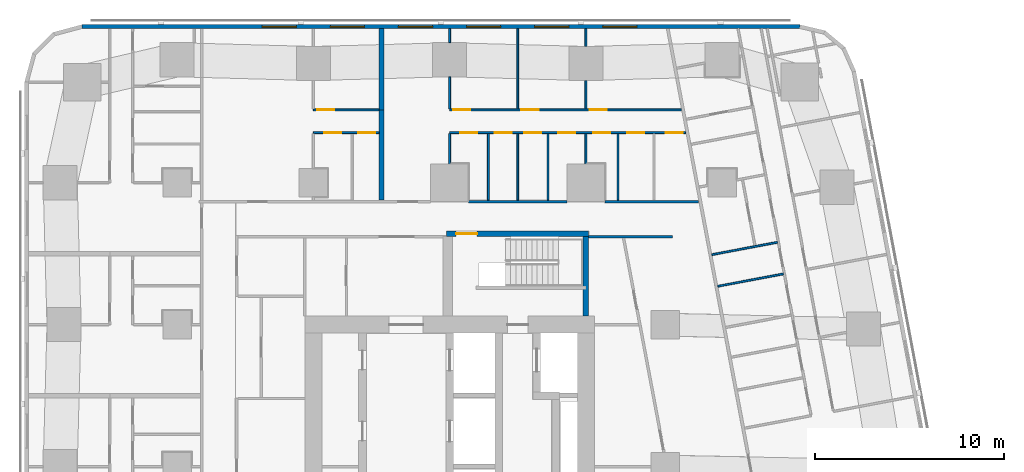
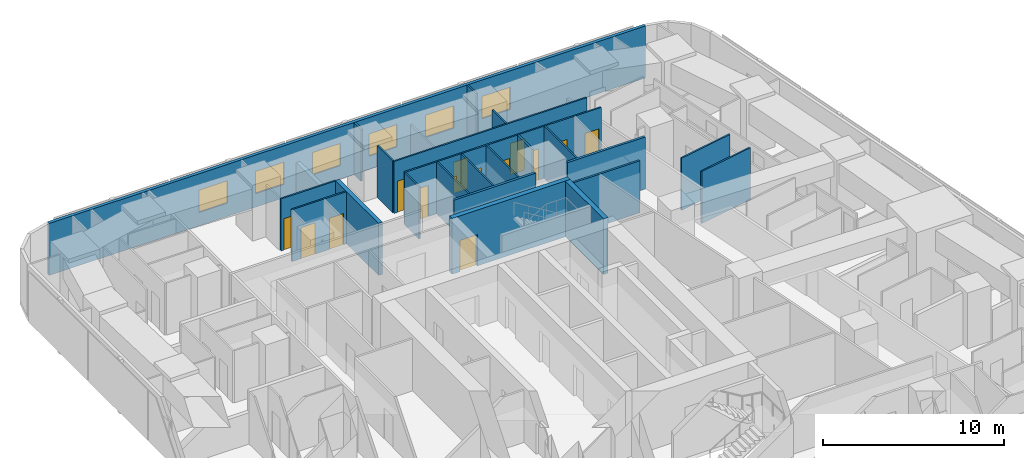
# One storey, part 9 of 14: 25 walls, 14 doors, 6 windows, 20 openings.
"""IFC4 building model written with IfcOpenShell, lengths in metres."""

from ifc_helpers import new_model, si_unit, direction, frame, frame_2d, origin, place, context, subcontext, project, spatial, rectangle, extrude, material, layer, layer_set, type_object, element, fill, save


model = new_model("IFC4")

# Units and contexts
model_context = context("Model", 3, precision=1e-05, world=origin(), true_north=direction((0.0, 1.0)))
body_context = subcontext(model_context, "Body", "Model", "MODEL_VIEW")
ifc_project = project(units=[si_unit("LENGTHUNIT", "METRE"), si_unit("AREAUNIT", "SQUARE_METRE"), si_unit("VOLUMEUNIT", "CUBIC_METRE"), si_unit("PLANEANGLEUNIT", "RADIAN"), si_unit("MASSUNIT", "GRAM", prefix="KILO")], contexts=[model_context])

# Site, building, storey
site_placement = place(None, origin())
site = spatial("IfcSite", under=ifc_project, at=site_placement, CompositionType="ELEMENT")
building_placement = place(site_placement, origin())
building = spatial("IfcBuilding", under=site, at=building_placement, Name="Sheger Commons Tower", CompositionType="ELEMENT")
storey_placement = place(building_placement, frame((0.0, 0.0, 135.800048828125)))
storey = spatial("IfcBuildingStorey", under=building, at=storey_placement, Name="L34", CompositionType="ELEMENT", Elevation=135.800048828125)

# Walls
ifc_material_1 = material(Name="Hollow concrete block masonry, skimmed both sides", Category="masonry")
ifc_layer_1 = layer(ifc_material_1, 0.14990234375)
ifc_layer_set_1 = layer_set([ifc_layer_1], Name="CORRIDOR WALL 150")
wall_type_1 = type_object("IfcWallType", Name="CORRIDOR WALL 150", PredefinedType="SOLIDWALL", material=ifc_layer_set_1)
wall_1_placement = place(storey_placement, frame((22.60107421875, 36.5, 0.0), z_axis=(0.0, 0.0, 1.0), x_axis=(1.0, 0.0, 0.0)))
element("IfcWall", 1, at=wall_1_placement, inside=storey, type_object=wall_type_1, Name="Corridor wall L34", PredefinedType="SOLIDWALL", context=body_context, shape_type="SweptSolid", body=[
    extrude(rectangle(XDim=5.197998046875, YDim=0.14990234375, at=frame_2d((2.59912109375, 0.0))), origin(), (0.0, 0.0, 1.0), 3.5),
])
wall_2_placement = place(storey_placement, frame((29.801025390625, 36.5, 0.0), z_axis=(0.0, 0.0, 1.0), x_axis=(1.0, 0.0, 0.0)))
element("IfcWall", 2, at=wall_2_placement, inside=storey, type_object=wall_type_1, Name="Corridor wall L34", PredefinedType="SOLIDWALL", context=body_context, shape_type="SweptSolid", body=[
    extrude(rectangle(XDim=4.9638671875, YDim=0.14990234375, at=frame_2d((2.48193359375, 0.0))), origin(), (0.0, 0.0, 1.0), 3.5),
])
ifc_material_2 = material(Name="Dense concrete block masonry, plastered both sides (separating wall between flats)", Category="masonry")
ifc_layer_2 = layer(ifc_material_2, 0.25)
ifc_layer_set_2 = layer_set([ifc_layer_2], Name="DEMISING WALL 250")
wall_type_2 = type_object("IfcWallType", Name="DEMISING WALL 250", PredefinedType="SOLIDWALL", material=ifc_layer_set_2)
wall_3_placement = place(storey_placement, frame((18.0, 41.35009765625, 0.0), z_axis=(0.0, 0.0, 1.0), x_axis=(0.0, 1.0, 0.0)))
element("IfcWall", 3, at=wall_3_placement, inside=storey, type_object=wall_type_2, Name="Demising wall L34", PredefinedType="SOLIDWALL", context=body_context, shape_type="SweptSolid", body=[
    extrude(rectangle(XDim=4.2998046875, YDim=0.25, at=frame_2d((2.14990234375, 0.0))), origin(), (0.0, 0.0, 1.0), 2.099853515625),
])
wall_4_placement = place(storey_placement, frame((18.0, 36.574951171875, 0.0), z_axis=(0.0, 0.0, 1.0), x_axis=(0.0, 1.0, 0.0)))
element("IfcWall", 4, at=wall_4_placement, inside=storey, type_object=wall_type_2, Name="Demising wall L34", PredefinedType="SOLIDWALL", context=body_context, shape_type="SweptSolid", body=[
    extrude(rectangle(XDim=4.775146484375, YDim=0.25, at=frame_2d((2.3876953125, 0.0))), origin(), (0.0, 0.0, 1.0), 3.5),
])

# Wall, openings, windows
ifc_material_3 = material(Name="Rendered concrete block masonry, dark grey", Category="masonry")
ifc_layer_3 = layer(ifc_material_3, 0.199951171875)
ifc_layer_set_3 = layer_set([ifc_layer_3], Name="FACADE WALL 200")
wall_type_3 = type_object("IfcWallType", Name="FACADE WALL 200", PredefinedType="SOLIDWALL", material=ifc_layer_set_3)
wall_5_placement = place(storey_placement, frame((40.10595703125, 45.75, 0.0), z_axis=(0.0, 0.0, 1.0), x_axis=(-1.0, 0.0, 0.0)))
wall_5 = element("IfcWall", 5, at=wall_5_placement, inside=storey, type_object=wall_type_3, Name="Facade wall L34", PredefinedType="SOLIDWALL", context=body_context, shape_type="SweptSolid", body=[
    extrude(rectangle(XDim=37.94287109375, YDim=0.199951171875, at=frame_2d((18.971435546875, 0.0))), origin(), (0.0, 0.0, 1.0), 3.5),
])
opening_1_placement = place(wall_5_placement, frame((8.60595703125, 0.0, 0.89990234375)))
opening_1 = element("IfcOpeningElement", 6, at=opening_1_placement, cuts=wall_5, Name="Opening W2", PredefinedType="OPENING", context=body_context, shape_type="SweptSolid", body=[
    extrude(rectangle(XDim=1.800048828125, YDim=1.5, at=frame_2d((0.89990234375, 0.75))), frame((0.0, 0.10986328125, 0.0), z_axis=(0.0, -1.0, 0.0), x_axis=(1.0, 0.0, 0.0)), (0.0, 0.0, 1.0), 0.219970703125),
])
opening_2_placement = place(wall_5_placement, frame((12.2060546875, 0.0, 0.89990234375)))
opening_2 = element("IfcOpeningElement", 7, at=opening_2_placement, cuts=wall_5, Name="Opening W2", PredefinedType="OPENING", context=body_context, shape_type="SweptSolid", body=[
    extrude(rectangle(XDim=1.800048828125, YDim=1.5, at=frame_2d((0.89990234375, 0.75))), frame((0.0, 0.10986328125, 0.0), z_axis=(0.0, -1.0, 0.0), x_axis=(1.0, 0.0, 0.0)), (0.0, 0.0, 1.0), 0.219970703125),
])
opening_3_placement = place(wall_5_placement, frame((15.805908203125, 0.0, 0.89990234375)))
opening_3 = element("IfcOpeningElement", 8, at=opening_3_placement, cuts=wall_5, Name="Opening W2", PredefinedType="OPENING", context=body_context, shape_type="SweptSolid", body=[
    extrude(rectangle(XDim=1.800048828125, YDim=1.5, at=frame_2d((0.89990234375, 0.75))), frame((0.0, 0.10986328125, 0.0), z_axis=(0.0, -1.0, 0.0), x_axis=(1.0, 0.0, 0.0)), (0.0, 0.0, 1.0), 0.219970703125),
])
opening_4_placement = place(wall_5_placement, frame((19.406005859375, 0.0, 0.89990234375)))
opening_4 = element("IfcOpeningElement", 9, at=opening_4_placement, cuts=wall_5, Name="Opening W2", PredefinedType="OPENING", context=body_context, shape_type="SweptSolid", body=[
    extrude(rectangle(XDim=1.800048828125, YDim=1.5, at=frame_2d((0.89990234375, 0.75))), frame((0.0, 0.10986328125, 0.0), z_axis=(0.0, -1.0, 0.0), x_axis=(1.0, 0.0, 0.0)), (0.0, 0.0, 1.0), 0.219970703125),
])
opening_5_placement = place(wall_5_placement, frame((23.006103515625, 0.0, 0.89990234375)))
opening_5 = element("IfcOpeningElement", 10, at=opening_5_placement, cuts=wall_5, Name="Opening W2", PredefinedType="OPENING", context=body_context, shape_type="SweptSolid", body=[
    extrude(rectangle(XDim=1.800048828125, YDim=1.5, at=frame_2d((0.89990234375, 0.75))), frame((0.0, 0.10986328125, 0.0), z_axis=(0.0, -1.0, 0.0), x_axis=(1.0, 0.0, 0.0)), (0.0, 0.0, 1.0), 0.219970703125),
])
opening_6_placement = place(wall_5_placement, frame((26.60595703125, 0.0, 0.89990234375)))
opening_6 = element("IfcOpeningElement", 11, at=opening_6_placement, cuts=wall_5, Name="Opening W2", PredefinedType="OPENING", context=body_context, shape_type="SweptSolid", body=[
    extrude(rectangle(XDim=1.800048828125, YDim=1.5, at=frame_2d((0.89990234375, 0.75))), frame((0.0, 0.10986328125, 0.0), z_axis=(0.0, -1.0, 0.0), x_axis=(1.0, 0.0, 0.0)), (0.0, 0.0, 1.0), 0.219970703125),
])
ifc_material_4 = material(Name="Black aluminium frame, dark tinted double glazing", Category="aluminium")
window_type = type_object("IfcWindowType", Name="WINDOW W2 1800x1500", PartitioningType="SINGLE_PANEL", PredefinedType="WINDOW", material=ifc_material_4)
window_1_placement = place(opening_1_placement, origin())
window_1 = element("IfcWindow", 12, at=window_1_placement, inside=storey, type_object=window_type, Name="Window W2 1800X1500", OverallHeight=1.5, OverallWidth=1.800048828125, PartitioningType="SINGLE_PANEL", PredefinedType="WINDOW", context=body_context, shape_type="SweptSolid", body=[
    extrude(rectangle(XDim=1.800048828125, YDim=1.5, at=frame_2d((0.89990234375, 0.75))), frame((0.0, 0.030029296875, 0.0), z_axis=(0.0, -1.0, 0.0), x_axis=(1.0, 0.0, 0.0)), (0.0, 0.0, 1.0), 0.06005859375),
])
fill(opening_1, window_1)
window_2_placement = place(opening_2_placement, origin())
window_2 = element("IfcWindow", 13, at=window_2_placement, inside=storey, type_object=window_type, Name="Window W2 1800X1500", OverallHeight=1.5, OverallWidth=1.800048828125, PartitioningType="SINGLE_PANEL", PredefinedType="WINDOW", context=body_context, shape_type="SweptSolid", body=[
    extrude(rectangle(XDim=1.800048828125, YDim=1.5, at=frame_2d((0.89990234375, 0.75))), frame((0.0, 0.030029296875, 0.0), z_axis=(0.0, -1.0, 0.0), x_axis=(1.0, 0.0, 0.0)), (0.0, 0.0, 1.0), 0.06005859375),
])
fill(opening_2, window_2)
window_3_placement = place(opening_3_placement, origin())
window_3 = element("IfcWindow", 14, at=window_3_placement, inside=storey, type_object=window_type, Name="Window W2 1800X1500", OverallHeight=1.5, OverallWidth=1.800048828125, PartitioningType="SINGLE_PANEL", PredefinedType="WINDOW", context=body_context, shape_type="SweptSolid", body=[
    extrude(rectangle(XDim=1.800048828125, YDim=1.5, at=frame_2d((0.89990234375, 0.75))), frame((0.0, 0.030029296875, 0.0), z_axis=(0.0, -1.0, 0.0), x_axis=(1.0, 0.0, 0.0)), (0.0, 0.0, 1.0), 0.06005859375),
])
fill(opening_3, window_3)
window_4_placement = place(opening_4_placement, origin())
window_4 = element("IfcWindow", 15, at=window_4_placement, inside=storey, type_object=window_type, Name="Window W2 1800X1500", OverallHeight=1.5, OverallWidth=1.800048828125, PartitioningType="SINGLE_PANEL", PredefinedType="WINDOW", context=body_context, shape_type="SweptSolid", body=[
    extrude(rectangle(XDim=1.800048828125, YDim=1.5, at=frame_2d((0.89990234375, 0.75))), frame((0.0, 0.030029296875, 0.0), z_axis=(0.0, -1.0, 0.0), x_axis=(1.0, 0.0, 0.0)), (0.0, 0.0, 1.0), 0.06005859375),
])
fill(opening_4, window_4)
window_5_placement = place(opening_5_placement, origin())
window_5 = element("IfcWindow", 16, at=window_5_placement, inside=storey, type_object=window_type, Name="Window W2 1800X1500", OverallHeight=1.5, OverallWidth=1.800048828125, PartitioningType="SINGLE_PANEL", PredefinedType="WINDOW", context=body_context, shape_type="SweptSolid", body=[
    extrude(rectangle(XDim=1.800048828125, YDim=1.5, at=frame_2d((0.89990234375, 0.75))), frame((0.0, 0.030029296875, 0.0), z_axis=(0.0, -1.0, 0.0), x_axis=(1.0, 0.0, 0.0)), (0.0, 0.0, 1.0), 0.06005859375),
])
fill(opening_5, window_5)
window_6_placement = place(opening_6_placement, origin())
window_6 = element("IfcWindow", 17, at=window_6_placement, inside=storey, type_object=window_type, Name="Window W2 1800X1500", OverallHeight=1.5, OverallWidth=1.800048828125, PartitioningType="SINGLE_PANEL", PredefinedType="WINDOW", context=body_context, shape_type="SweptSolid", body=[
    extrude(rectangle(XDim=1.800048828125, YDim=1.5, at=frame_2d((0.89990234375, 0.75))), frame((0.0, 0.030029296875, 0.0), z_axis=(0.0, -1.0, 0.0), x_axis=(1.0, 0.0, 0.0)), (0.0, 0.0, 1.0), 0.06005859375),
])
fill(opening_6, window_6)

# Walls
ifc_material_5 = material(Name="Gypsum board on steel studs", Category="steel")
ifc_layer_4 = layer(ifc_material_5, 0.10009765625)
ifc_layer_set_4 = layer_set([ifc_layer_4], Name="PARTITION 100")
wall_type_4 = type_object("IfcWallType", Name="PARTITION 100", PredefinedType="PARTITIONING", material=ifc_layer_set_4)
wall_6_placement = place(storey_placement, frame((39.239990234375, 32.68310546875, 0.0), z_axis=(0.0, 0.0, 1.0), x_axis=(-0.982638553676, -0.185530247748, 0.0)))
element("IfcWall", 18, at=wall_6_placement, inside=storey, type_object=wall_type_4, Name="Partition L34", PredefinedType="PARTITIONING", context=body_context, shape_type="SweptSolid", body=[
    extrude(rectangle(XDim=3.525390625, YDim=0.10009765625, at=frame_2d((1.7626953125, 0.0))), origin(), (0.0, 0.0, 1.0), 3.5),
])
wall_7_placement = place(storey_placement, frame((38.924072265625, 34.35302734375, 0.0), z_axis=(0.0, 0.0, 1.0), x_axis=(-0.982629014545, -0.18558076348, 0.0)))
element("IfcWall", 19, at=wall_7_placement, inside=storey, type_object=wall_type_4, Name="Partition L34", PredefinedType="PARTITIONING", context=body_context, shape_type="SweptSolid", body=[
    extrude(rectangle(XDim=3.5244140625, YDim=0.10009765625, at=frame_2d((1.76220703125, 0.0))), origin(), (0.0, 0.0, 1.0), 3.5),
])

# Wall, opening, door
wall_8_placement = place(storey_placement, frame((14.39990234375, 41.35009765625, 0.0), z_axis=(0.0, 0.0, 1.0), x_axis=(1.0, 0.0, 0.0)))
wall_8 = element("IfcWall", 20, at=wall_8_placement, inside=storey, type_object=wall_type_4, Name="Partition L34", PredefinedType="PARTITIONING", context=body_context, shape_type="SweptSolid", body=[
    extrude(rectangle(XDim=3.47509765625, YDim=0.10009765625, at=frame_2d((1.737548828125, 0.0))), origin(), (0.0, 0.0, 1.0), 3.5),
])
opening_7_placement = place(wall_8_placement, frame((0.199951171875, 0.0, 0.0)))
opening_7 = element("IfcOpeningElement", 21, at=opening_7_placement, cuts=wall_8, Name="Opening D2", PredefinedType="OPENING", context=body_context, shape_type="SweptSolid", body=[
    extrude(rectangle(XDim=0.89990234375, YDim=2.10009765625, at=frame_2d((0.449951171875, 1.050048828125))), frame((0.0, 0.06005859375, 0.0), z_axis=(0.0, -1.0, 0.0), x_axis=(1.0, 0.0, 0.0)), (0.0, 0.0, 1.0), 0.1201171875),
])
ifc_material_6 = material(Name="Timber door set", Category="wood")
door_type_1 = type_object("IfcDoorType", Name="INTERNAL DOOR 900x2100", OperationType="NOTDEFINED", PredefinedType="DOOR", material=ifc_material_6)
door_1_placement = place(opening_7_placement, origin())
door_1 = element("IfcDoor", 22, at=door_1_placement, inside=storey, type_object=door_type_1, Name="Main bedroom door", OperationType="SINGLE_SWING_LEFT", OverallHeight=2.10009765625, OverallWidth=0.89990234375, PredefinedType="DOOR", context=body_context, shape_type="SweptSolid", body=[
    extrude(rectangle(XDim=0.89990234375, YDim=2.10009765625, at=frame_2d((0.449951171875, 1.050048828125))), frame((0.0, 0.02490234375, 0.0), z_axis=(0.0, -1.0, 0.0), x_axis=(1.0, 0.0, 0.0)), (0.0, 0.0, 1.0), 0.050048828125),
])
fill(opening_7, door_1)

# Wall, openings, doors
wall_9_placement = place(storey_placement, frame((14.39990234375, 40.14990234375, 0.0), z_axis=(0.0, 0.0, 1.0), x_axis=(1.0, 0.0, 0.0)))
wall_9 = element("IfcWall", 23, at=wall_9_placement, inside=storey, type_object=wall_type_4, Name="Partition L34", PredefinedType="PARTITIONING", context=body_context, shape_type="SweptSolid", body=[
    extrude(rectangle(XDim=3.47509765625, YDim=0.10009765625, at=frame_2d((1.737548828125, 0.0))), origin(), (0.0, 0.0, 1.0), 3.5),
])
opening_8_placement = place(wall_9_placement, frame((0.574951171875, 0.0, 0.0)))
opening_8 = element("IfcOpeningElement", 24, at=opening_8_placement, cuts=wall_9, Name="Opening D2", PredefinedType="OPENING", context=body_context, shape_type="SweptSolid", body=[
    extrude(rectangle(XDim=0.89990234375, YDim=2.10009765625, at=frame_2d((0.449951171875, 1.050048828125))), frame((0.0, 0.06005859375, 0.0), z_axis=(0.0, -1.0, 0.0), x_axis=(1.0, 0.0, 0.0)), (0.0, 0.0, 1.0), 0.1201171875),
])
opening_9_placement = place(wall_9_placement, frame((2.375, 0.0, 0.0)))
opening_9 = element("IfcOpeningElement", 25, at=opening_9_placement, cuts=wall_9, Name="Opening D2", PredefinedType="OPENING", context=body_context, shape_type="SweptSolid", body=[
    extrude(rectangle(XDim=0.89990234375, YDim=2.10009765625, at=frame_2d((0.449951171875, 1.050048828125))), frame((0.0, 0.06005859375, 0.0), z_axis=(0.0, -1.0, 0.0), x_axis=(1.0, 0.0, 0.0)), (0.0, 0.0, 1.0), 0.1201171875),
])
door_2_placement = place(opening_8_placement, origin())
door_2 = element("IfcDoor", 26, at=door_2_placement, inside=storey, type_object=door_type_1, Name="Bathroom door", OperationType="SINGLE_SWING_RIGHT", OverallHeight=2.10009765625, OverallWidth=0.89990234375, PredefinedType="DOOR", context=body_context, shape_type="SweptSolid", body=[
    extrude(rectangle(XDim=0.89990234375, YDim=2.10009765625, at=frame_2d((0.449951171875, 1.050048828125))), frame((0.0, 0.02490234375, 0.0), z_axis=(0.0, -1.0, 0.0), x_axis=(1.0, 0.0, 0.0)), (0.0, 0.0, 1.0), 0.050048828125),
])
fill(opening_8, door_2)
door_3_placement = place(opening_9_placement, origin())
door_3 = element("IfcDoor", 27, at=door_3_placement, inside=storey, type_object=door_type_1, Name="Store door", OperationType="SINGLE_SWING_LEFT", OverallHeight=2.10009765625, OverallWidth=0.89990234375, PredefinedType="DOOR", context=body_context, shape_type="SweptSolid", body=[
    extrude(rectangle(XDim=0.89990234375, YDim=2.10009765625, at=frame_2d((0.449951171875, 1.050048828125))), frame((0.0, 0.02490234375, 0.0), z_axis=(0.0, -1.0, 0.0), x_axis=(1.0, 0.0, 0.0)), (0.0, 0.0, 1.0), 0.050048828125),
])
fill(opening_9, door_3)

wall_10_placement = place(storey_placement, frame((21.60009765625, 41.35009765625, 0.0), z_axis=(0.0, 0.0, 1.0), x_axis=(1.0, 0.0, 0.0)))
wall_10 = element("IfcWall", 28, at=wall_10_placement, inside=storey, type_object=wall_type_4, Name="Partition L34", PredefinedType="PARTITIONING", context=body_context, shape_type="SweptSolid", body=[
    extrude(rectangle(XDim=12.2529296875, YDim=0.10009765625, at=frame_2d((6.12646484375, 0.0))), origin(), (0.0, 0.0, 1.0), 3.5),
])
opening_10_placement = place(wall_10_placement, frame((0.199951171875, 0.0, 0.0)))
opening_10 = element("IfcOpeningElement", 29, at=opening_10_placement, cuts=wall_10, Name="Opening D2", PredefinedType="OPENING", context=body_context, shape_type="SweptSolid", body=[
    extrude(rectangle(XDim=0.89990234375, YDim=2.10009765625, at=frame_2d((0.449951171875, 1.050048828125))), frame((0.0, 0.06005859375, 0.0), z_axis=(0.0, -1.0, 0.0), x_axis=(1.0, 0.0, 0.0)), (0.0, 0.0, 1.0), 0.1201171875),
])
opening_11_placement = place(wall_10_placement, frame((3.800048828125, 0.0, 0.0)))
opening_11 = element("IfcOpeningElement", 30, at=opening_11_placement, cuts=wall_10, Name="Opening D2", PredefinedType="OPENING", context=body_context, shape_type="SweptSolid", body=[
    extrude(rectangle(XDim=0.89990234375, YDim=2.10009765625, at=frame_2d((0.449951171875, 1.050048828125))), frame((0.0, 0.06005859375, 0.0), z_axis=(0.0, -1.0, 0.0), x_axis=(1.0, 0.0, 0.0)), (0.0, 0.0, 1.0), 0.1201171875),
])
opening_12_placement = place(wall_10_placement, frame((7.39990234375, 0.0, 0.0)))
opening_12 = element("IfcOpeningElement", 31, at=opening_12_placement, cuts=wall_10, Name="Opening D2", PredefinedType="OPENING", context=body_context, shape_type="SweptSolid", body=[
    extrude(rectangle(XDim=0.89990234375, YDim=2.10009765625, at=frame_2d((0.449951171875, 1.050048828125))), frame((0.0, 0.06005859375, 0.0), z_axis=(0.0, -1.0, 0.0), x_axis=(1.0, 0.0, 0.0)), (0.0, 0.0, 1.0), 0.1201171875),
])
door_4_placement = place(opening_10_placement, origin())
door_4 = element("IfcDoor", 32, at=door_4_placement, inside=storey, type_object=door_type_1, Name="Main bedroom door", OperationType="SINGLE_SWING_LEFT", OverallHeight=2.10009765625, OverallWidth=0.89990234375, PredefinedType="DOOR", context=body_context, shape_type="SweptSolid", body=[
    extrude(rectangle(XDim=0.89990234375, YDim=2.10009765625, at=frame_2d((0.449951171875, 1.050048828125))), frame((0.0, 0.02490234375, 0.0), z_axis=(0.0, -1.0, 0.0), x_axis=(1.0, 0.0, 0.0)), (0.0, 0.0, 1.0), 0.050048828125),
])
fill(opening_10, door_4)
door_5_placement = place(opening_11_placement, origin())
door_5 = element("IfcDoor", 33, at=door_5_placement, inside=storey, type_object=door_type_1, Name="Bedroom 2 door", OperationType="SINGLE_SWING_LEFT", OverallHeight=2.10009765625, OverallWidth=0.89990234375, PredefinedType="DOOR", context=body_context, shape_type="SweptSolid", body=[
    extrude(rectangle(XDim=0.89990234375, YDim=2.10009765625, at=frame_2d((0.449951171875, 1.050048828125))), frame((0.0, 0.02490234375, 0.0), z_axis=(0.0, -1.0, 0.0), x_axis=(1.0, 0.0, 0.0)), (0.0, 0.0, 1.0), 0.050048828125),
])
fill(opening_11, door_5)
door_6_placement = place(opening_12_placement, origin())
door_6 = element("IfcDoor", 34, at=door_6_placement, inside=storey, type_object=door_type_1, Name="Bedroom 3 door", OperationType="SINGLE_SWING_LEFT", OverallHeight=2.10009765625, OverallWidth=0.89990234375, PredefinedType="DOOR", context=body_context, shape_type="SweptSolid", body=[
    extrude(rectangle(XDim=0.89990234375, YDim=2.10009765625, at=frame_2d((0.449951171875, 1.050048828125))), frame((0.0, 0.02490234375, 0.0), z_axis=(0.0, -1.0, 0.0), x_axis=(1.0, 0.0, 0.0)), (0.0, 0.0, 1.0), 0.050048828125),
])
fill(opening_12, door_6)

wall_11_placement = place(storey_placement, frame((21.60009765625, 40.14990234375, 0.0), z_axis=(0.0, 0.0, 1.0), x_axis=(1.0, 0.0, 0.0)))
wall_11 = element("IfcWall", 35, at=wall_11_placement, inside=storey, type_object=wall_type_4, Name="Partition L34", PredefinedType="PARTITIONING", context=body_context, shape_type="SweptSolid", body=[
    extrude(rectangle(XDim=12.47998046875, YDim=0.10009765625, at=frame_2d((6.239990234375, 0.0))), origin(), (0.0, 0.0, 1.0), 3.5),
])
opening_13_placement = place(wall_11_placement, frame((0.574951171875, 0.0, 0.0)))
opening_13 = element("IfcOpeningElement", 36, at=opening_13_placement, cuts=wall_11, Name="Opening D2", PredefinedType="OPENING", context=body_context, shape_type="SweptSolid", body=[
    extrude(rectangle(XDim=0.89990234375, YDim=2.10009765625, at=frame_2d((0.449951171875, 1.050048828125))), frame((0.0, 0.06005859375, 0.0), z_axis=(0.0, -1.0, 0.0), x_axis=(1.0, 0.0, 0.0)), (0.0, 0.0, 1.0), 0.1201171875),
])
opening_14_placement = place(wall_11_placement, frame((3.949951171875, 0.0, 0.0)))
opening_14 = element("IfcOpeningElement", 37, at=opening_14_placement, cuts=wall_11, Name="Opening D2", PredefinedType="OPENING", context=body_context, shape_type="SweptSolid", body=[
    extrude(rectangle(XDim=0.89990234375, YDim=2.10009765625, at=frame_2d((0.449951171875, 1.050048828125))), frame((0.0, 0.06005859375, 0.0), z_axis=(0.0, -1.0, 0.0), x_axis=(1.0, 0.0, 0.0)), (0.0, 0.0, 1.0), 0.1201171875),
])
opening_15_placement = place(wall_11_placement, frame((7.60009765625, 0.0, 0.0)))
opening_15 = element("IfcOpeningElement", 38, at=opening_15_placement, cuts=wall_11, Name="Opening D2", PredefinedType="OPENING", context=body_context, shape_type="SweptSolid", body=[
    extrude(rectangle(XDim=0.89990234375, YDim=2.10009765625, at=frame_2d((0.449951171875, 1.050048828125))), frame((0.0, 0.06005859375, 0.0), z_axis=(0.0, -1.0, 0.0), x_axis=(1.0, 0.0, 0.0)), (0.0, 0.0, 1.0), 0.1201171875),
])
opening_16_placement = place(wall_11_placement, frame((11.429931640625, 0.0, 0.0)))
opening_16 = element("IfcOpeningElement", 39, at=opening_16_placement, cuts=wall_11, Name="Opening D2", PredefinedType="OPENING", context=body_context, shape_type="SweptSolid", body=[
    extrude(rectangle(XDim=0.89990234375, YDim=2.10009765625, at=frame_2d((0.449951171875, 1.050048828125))), frame((0.0, 0.06005859375, 0.0), z_axis=(0.0, -1.0, 0.0), x_axis=(1.0, 0.0, 0.0)), (0.0, 0.0, 1.0), 0.1201171875),
])
opening_17_placement = place(wall_11_placement, frame((2.375, 0.0, 0.0)))
opening_17 = element("IfcOpeningElement", 40, at=opening_17_placement, cuts=wall_11, Name="Opening D2", PredefinedType="OPENING", context=body_context, shape_type="SweptSolid", body=[
    extrude(rectangle(XDim=0.89990234375, YDim=2.10009765625, at=frame_2d((0.449951171875, 1.050048828125))), frame((0.0, 0.06005859375, 0.0), z_axis=(0.0, -1.0, 0.0), x_axis=(1.0, 0.0, 0.0)), (0.0, 0.0, 1.0), 0.1201171875),
])
opening_18_placement = place(wall_11_placement, frame((5.75, 0.0, 0.0)))
opening_18 = element("IfcOpeningElement", 41, at=opening_18_placement, cuts=wall_11, Name="Opening D2", PredefinedType="OPENING", context=body_context, shape_type="SweptSolid", body=[
    extrude(rectangle(XDim=0.89990234375, YDim=2.10009765625, at=frame_2d((0.449951171875, 1.050048828125))), frame((0.0, 0.06005859375, 0.0), z_axis=(0.0, -1.0, 0.0), x_axis=(1.0, 0.0, 0.0)), (0.0, 0.0, 1.0), 0.1201171875),
])
opening_19_placement = place(wall_11_placement, frame((9.39990234375, 0.0, 0.0)))
opening_19 = element("IfcOpeningElement", 42, at=opening_19_placement, cuts=wall_11, Name="Opening D2", PredefinedType="OPENING", context=body_context, shape_type="SweptSolid", body=[
    extrude(rectangle(XDim=0.89990234375, YDim=2.10009765625, at=frame_2d((0.449951171875, 1.050048828125))), frame((0.0, 0.06005859375, 0.0), z_axis=(0.0, -1.0, 0.0), x_axis=(1.0, 0.0, 0.0)), (0.0, 0.0, 1.0), 0.1201171875),
])
door_7_placement = place(opening_13_placement, origin())
door_7 = element("IfcDoor", 43, at=door_7_placement, inside=storey, type_object=door_type_1, Name="Bathroom door", OperationType="SINGLE_SWING_RIGHT", OverallHeight=2.10009765625, OverallWidth=0.89990234375, PredefinedType="DOOR", context=body_context, shape_type="SweptSolid", body=[
    extrude(rectangle(XDim=0.89990234375, YDim=2.10009765625, at=frame_2d((0.449951171875, 1.050048828125))), frame((0.0, 0.02490234375, 0.0), z_axis=(0.0, -1.0, 0.0), x_axis=(1.0, 0.0, 0.0)), (0.0, 0.0, 1.0), 0.050048828125),
])
fill(opening_13, door_7)
door_8_placement = place(opening_14_placement, origin())
door_8 = element("IfcDoor", 44, at=door_8_placement, inside=storey, type_object=door_type_1, Name="Shower room door", OperationType="SINGLE_SWING_LEFT", OverallHeight=2.10009765625, OverallWidth=0.89990234375, PredefinedType="DOOR", context=body_context, shape_type="SweptSolid", body=[
    extrude(rectangle(XDim=0.89990234375, YDim=2.10009765625, at=frame_2d((0.449951171875, 1.050048828125))), frame((0.0, 0.02490234375, 0.0), z_axis=(0.0, -1.0, 0.0), x_axis=(1.0, 0.0, 0.0)), (0.0, 0.0, 1.0), 0.050048828125),
])
fill(opening_14, door_8)
door_9_placement = place(opening_15_placement, origin())
door_9 = element("IfcDoor", 45, at=door_9_placement, inside=storey, type_object=door_type_1, Name="Laundry room door", OperationType="SINGLE_SWING_LEFT", OverallHeight=2.10009765625, OverallWidth=0.89990234375, PredefinedType="DOOR", context=body_context, shape_type="SweptSolid", body=[
    extrude(rectangle(XDim=0.89990234375, YDim=2.10009765625, at=frame_2d((0.449951171875, 1.050048828125))), frame((0.0, 0.02490234375, 0.0), z_axis=(0.0, -1.0, 0.0), x_axis=(1.0, 0.0, 0.0)), (0.0, 0.0, 1.0), 0.050048828125),
])
fill(opening_15, door_9)
door_10_placement = place(opening_16_placement, origin())
door_10 = element("IfcDoor", 46, at=door_10_placement, inside=storey, type_object=door_type_1, Name="Store and laundry door", OperationType="SINGLE_SWING_LEFT", OverallHeight=2.10009765625, OverallWidth=0.89990234375, PredefinedType="DOOR", context=body_context, shape_type="SweptSolid", body=[
    extrude(rectangle(XDim=0.89990234375, YDim=2.10009765625, at=frame_2d((0.449951171875, 1.050048828125))), frame((0.0, 0.02490234375, 0.0), z_axis=(0.0, -1.0, 0.0), x_axis=(1.0, 0.0, 0.0)), (0.0, 0.0, 1.0), 0.050048828125),
])
fill(opening_16, door_10)
door_11_placement = place(opening_17_placement, origin())
door_11 = element("IfcDoor", 47, at=door_11_placement, inside=storey, type_object=door_type_1, Name="Store door", OperationType="SINGLE_SWING_RIGHT", OverallHeight=2.10009765625, OverallWidth=0.89990234375, PredefinedType="DOOR", context=body_context, shape_type="SweptSolid", body=[
    extrude(rectangle(XDim=0.89990234375, YDim=2.10009765625, at=frame_2d((0.449951171875, 1.050048828125))), frame((0.0, 0.02490234375, 0.0), z_axis=(0.0, -1.0, 0.0), x_axis=(1.0, 0.0, 0.0)), (0.0, 0.0, 1.0), 0.050048828125),
])
fill(opening_17, door_11)
door_12_placement = place(opening_18_placement, origin())
door_12 = element("IfcDoor", 48, at=door_12_placement, inside=storey, type_object=door_type_1, Name="Store door", OperationType="SINGLE_SWING_RIGHT", OverallHeight=2.10009765625, OverallWidth=0.89990234375, PredefinedType="DOOR", context=body_context, shape_type="SweptSolid", body=[
    extrude(rectangle(XDim=0.89990234375, YDim=2.10009765625, at=frame_2d((0.449951171875, 1.050048828125))), frame((0.0, 0.02490234375, 0.0), z_axis=(0.0, -1.0, 0.0), x_axis=(1.0, 0.0, 0.0)), (0.0, 0.0, 1.0), 0.050048828125),
])
fill(opening_18, door_12)
door_13_placement = place(opening_19_placement, origin())
door_13 = element("IfcDoor", 49, at=door_13_placement, inside=storey, type_object=door_type_1, Name="Store door", OperationType="SINGLE_SWING_RIGHT", OverallHeight=2.10009765625, OverallWidth=0.89990234375, PredefinedType="DOOR", context=body_context, shape_type="SweptSolid", body=[
    extrude(rectangle(XDim=0.89990234375, YDim=2.10009765625, at=frame_2d((0.449951171875, 1.050048828125))), frame((0.0, 0.02490234375, 0.0), z_axis=(0.0, -1.0, 0.0), x_axis=(1.0, 0.0, 0.0)), (0.0, 0.0, 1.0), 0.050048828125),
])
fill(opening_19, door_13)

# Walls
wall_12_placement = place(storey_placement, frame((21.60009765625, 41.39990234375, 0.0), z_axis=(0.0, 0.0, 1.0), x_axis=(0.0, 1.0, 0.0)))
element("IfcWall", 50, at=wall_12_placement, inside=storey, type_object=wall_type_4, Name="Partition L34", PredefinedType="PARTITIONING", context=body_context, shape_type="SweptSolid", body=[
    extrude(rectangle(XDim=1.69921875, YDim=0.10009765625, at=frame_2d((0.849609375, 0.0))), origin(), (0.0, 0.0, 1.0), 3.5),
])
wall_13_placement = place(storey_placement, frame((21.60009765625, 44.90087890625, 0.0), z_axis=(0.0, 0.0, 1.0), x_axis=(0.0, 1.0, 0.0)))
element("IfcWall", 51, at=wall_13_placement, inside=storey, type_object=wall_type_4, Name="Partition L34", PredefinedType="PARTITIONING", context=body_context, shape_type="SweptSolid", body=[
    extrude(rectangle(XDim=0.7490234375, YDim=0.10009765625, at=frame_2d((0.37451171875, 0.0))), origin(), (0.0, 0.0, 1.0), 3.5),
])
wall_14_placement = place(storey_placement, frame((25.199951171875, 41.39990234375, 0.0), z_axis=(0.0, 0.0, 1.0), x_axis=(0.0, 1.0, 0.0)))
element("IfcWall", 52, at=wall_14_placement, inside=storey, type_object=wall_type_4, Name="Partition L34", PredefinedType="PARTITIONING", context=body_context, shape_type="SweptSolid", body=[
    extrude(rectangle(XDim=4.25, YDim=0.10009765625, at=frame_2d((2.125, 0.0))), origin(), (0.0, 0.0, 1.0), 2.099853515625),
])
wall_15_placement = place(storey_placement, frame((28.800048828125, 41.39990234375, 0.0), z_axis=(0.0, 0.0, 1.0), x_axis=(0.0, 1.0, 0.0)))
element("IfcWall", 53, at=wall_15_placement, inside=storey, type_object=wall_type_4, Name="Partition L34", PredefinedType="PARTITIONING", context=body_context, shape_type="SweptSolid", body=[
    extrude(rectangle(XDim=1.4990234375, YDim=0.10009765625, at=frame_2d((0.74951171875, 0.0))), origin(), (0.0, 0.0, 1.0), 3.5),
])
wall_16_placement = place(storey_placement, frame((28.800048828125, 44.700927734375, 0.0), z_axis=(0.0, 0.0, 1.0), x_axis=(0.0, 1.0, 0.0)))
element("IfcWall", 54, at=wall_16_placement, inside=storey, type_object=wall_type_4, Name="Partition L34", PredefinedType="PARTITIONING", context=body_context, shape_type="SweptSolid", body=[
    extrude(rectangle(XDim=0.948974609375, YDim=0.10009765625, at=frame_2d((0.474609375, 0.0))), origin(), (0.0, 0.0, 1.0), 3.5),
])
wall_17_placement = place(storey_placement, frame((21.60009765625, 38.5009765625, 0.0), z_axis=(0.0, 0.0, 1.0), x_axis=(0.0, 1.0, 0.0)))
element("IfcWall", 55, at=wall_17_placement, inside=storey, type_object=wall_type_4, Name="Partition L34", PredefinedType="PARTITIONING", context=body_context, shape_type="SweptSolid", body=[
    extrude(rectangle(XDim=1.59912109375, YDim=0.10009765625, at=frame_2d((0.799560546875, 0.0))), origin(), (0.0, 0.0, 1.0), 3.5),
])
wall_18_placement = place(storey_placement, frame((25.199951171875, 36.574951171875, 0.0), z_axis=(0.0, 0.0, 1.0), x_axis=(0.0, 1.0, 0.0)))
element("IfcWall", 56, at=wall_18_placement, inside=storey, type_object=wall_type_4, Name="Partition L34", PredefinedType="PARTITIONING", context=body_context, shape_type="SweptSolid", body=[
    extrude(rectangle(XDim=3.525146484375, YDim=0.10009765625, at=frame_2d((1.7626953125, 0.0))), origin(), (0.0, 0.0, 1.0), 3.5),
])
wall_19_placement = place(storey_placement, frame((28.800048828125, 38.5009765625, 0.0), z_axis=(0.0, 0.0, 1.0), x_axis=(0.0, 1.0, 0.0)))
element("IfcWall", 57, at=wall_19_placement, inside=storey, type_object=wall_type_4, Name="Partition L34", PredefinedType="PARTITIONING", context=body_context, shape_type="SweptSolid", body=[
    extrude(rectangle(XDim=1.59912109375, YDim=0.10009765625, at=frame_2d((0.799560546875, 0.0))), origin(), (0.0, 0.0, 1.0), 3.5),
])
for number, where, z_axis, x_axis, name in (
    (58, (23.64990234375, 36.574951171875, 0.0), (0.0, 0.0, 1.0), (0.0, 1.0, 0.0), "Partition L34"),
    (59, (26.800048828125, 36.574951171875, 0.0), (0.0, 0.0, 1.0), (0.0, 1.0, 0.0), "Partition L34"),
    (60, (30.5, 36.574951171875, 0.0), (0.0, 0.0, 1.0), (0.0, 1.0, 0.0), "Partition L34"),
):
    element("IfcWall", number, at=place(storey_placement, frame(where, z_axis=z_axis, x_axis=x_axis)), inside=storey, type_object=wall_type_4, Name=name, PredefinedType="PARTITIONING", context=body_context, shape_type="SweptSolid", body=[
        extrude(rectangle(XDim=3.525146484375, YDim=0.10009765625, at=frame_2d((1.7626953125, 0.0))), origin(), (0.0, 0.0, 1.0), 3.5),
    ])
ifc_material_7 = material(Name="Gypsum board on steel studs, two layers each side, fire rated", Category="steel")
ifc_layer_5 = layer(ifc_material_7, 0.125)
ifc_layer_set_5 = layer_set([ifc_layer_5], Name="SERVICE WALL 125")
wall_type_5 = type_object("IfcWallType", Name="SERVICE WALL 125", PredefinedType="PARTITIONING", material=ifc_layer_set_5)
wall_20_placement = place(storey_placement, frame((28.949951171875, 34.64990234375, 0.0), z_axis=(0.0, 0.0, 1.0), x_axis=(1.0, 0.0, 0.0)))
element("IfcWall", 61, at=wall_20_placement, inside=storey, type_object=wall_type_5, Name="Service room wall L34", PredefinedType="PARTITIONING", context=body_context, shape_type="SweptSolid", body=[
    extrude(rectangle(XDim=4.423095703125, YDim=0.125, at=frame_2d((2.21142578125, 0.0))), origin(), (0.0, 0.0, 1.0), 3.5),
])

# Wall, opening, door
ifc_material_8 = material(Name="Concrete C50/60", Category="concrete")
ifc_layer_6 = layer(ifc_material_8, 0.300048828125)
ifc_layer_set_6 = layer_set([ifc_layer_6], Name="STAIR CORE WALL 300")
wall_type_6 = type_object("IfcWallType", Name="STAIR CORE WALL 300", PredefinedType="SHEAR", material=ifc_layer_set_6)
wall_21_placement = place(storey_placement, frame((21.449951171875, 34.800048828125, 0.0), z_axis=(0.0, 0.0, 1.0), x_axis=(1.0, 0.0, 0.0)))
wall_21 = element("IfcWall", 62, at=wall_21_placement, inside=storey, type_object=wall_type_6, Name="STW-L34-S2N", PredefinedType="SHEAR", context=body_context, shape_type="SweptSolid", body=[
    extrude(rectangle(XDim=7.5, YDim=0.300048828125, at=frame_2d((3.75, 0.0))), origin(), (0.0, 0.0, 1.0), 3.75),
])
opening_20_placement = place(wall_21_placement, frame((0.5, 0.0, 0.0)))
opening_20 = element("IfcOpeningElement", 63, at=opening_20_placement, cuts=wall_21, Name="Opening D5", PredefinedType="OPENING", context=body_context, shape_type="SweptSolid", body=[
    extrude(rectangle(XDim=1.10009765625, YDim=2.10009765625, at=frame_2d((0.550048828125, 1.050048828125))), frame((0.0, 0.159912109375, 0.0), z_axis=(0.0, -1.0, 0.0), x_axis=(1.0, 0.0, 0.0)), (0.0, 0.0, 1.0), 0.320068359375),
])
ifc_material_9 = material(Name="Steel door set, fire rated", Category="steel")
door_type_2 = type_object("IfcDoorType", Name="STAIR DOOR 1100x2100", OperationType="NOTDEFINED", PredefinedType="DOOR", material=ifc_material_9)
door_14_placement = place(opening_20_placement, origin())
door_14 = element("IfcDoor", 64, at=door_14_placement, inside=storey, type_object=door_type_2, Name="Stair S2 door", OperationType="SINGLE_SWING_RIGHT", OverallHeight=2.10009765625, OverallWidth=1.10009765625, PredefinedType="DOOR", context=body_context, shape_type="SweptSolid", body=[
    extrude(rectangle(XDim=1.10009765625, YDim=2.10009765625, at=frame_2d((0.550048828125, 1.050048828125))), frame((0.0, 0.02490234375, 0.0), z_axis=(0.0, -1.0, 0.0), x_axis=(1.0, 0.0, 0.0)), (0.0, 0.0, 1.0), 0.050048828125),
])
fill(opening_20, door_14)

# Wall
wall_22_placement = place(storey_placement, frame((28.800048828125, 30.449951171875, 0.0), z_axis=(0.0, 0.0, 1.0), x_axis=(0.0, 1.0, 0.0)))
element("IfcWall", 65, at=wall_22_placement, inside=storey, type_object=wall_type_6, Name="STW-L34-S2E", PredefinedType="SHEAR", context=body_context, shape_type="SweptSolid", body=[
    extrude(rectangle(XDim=4.199951171875, YDim=0.300048828125, at=frame_2d((2.10009765625, 0.0))), origin(), (0.0, 0.0, 1.0), 3.75),
])

save(model, "model.ifc")
